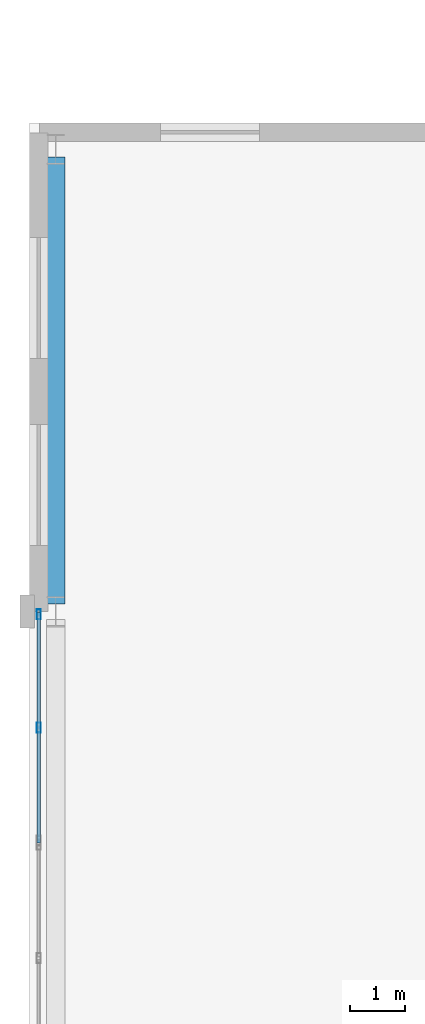
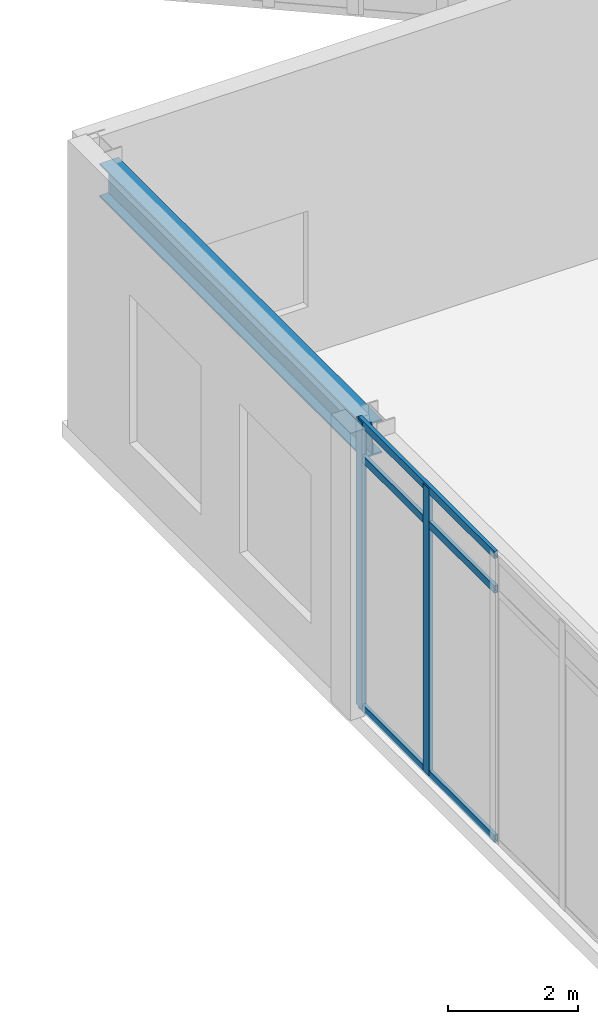
# One storey, part 24 of 98: 5 members, 1 beam, 1 element without a shape of its own.
"""IFC4 building model written with IfcOpenShell, lengths in metres."""

from ifc_helpers import new_model, si_unit, direction, frame, origin, origin_2d, place, context, subcontext, project, spatial, hollow_rectangle, i_section, extrude, material, layer, layer_set, material_profile, profile_set, type_object, element, aggregate, save


model = new_model("IFC4")

# Units and contexts
model_context = context("Model", 3, precision=1e-05, world=origin(), true_north=direction((0.0, 1.0)))
body_context = subcontext(model_context, "Body", "Model", "MODEL_VIEW")
ifc_project = project(units=[si_unit("LENGTHUNIT", "METRE"), si_unit("AREAUNIT", "SQUARE_METRE"), si_unit("VOLUMEUNIT", "CUBIC_METRE"), si_unit("PLANEANGLEUNIT", "RADIAN"), si_unit("MASSUNIT", "GRAM", prefix="KILO")], contexts=[model_context])

# Site, building, storey
site_placement = place(None, origin())
site = spatial("IfcSite", under=ifc_project, at=site_placement, CompositionType="ELEMENT")
building_placement = place(site_placement, origin())
building = spatial("IfcBuilding", under=site, at=building_placement, Name="Sollismere Congress Hotel", CompositionType="ELEMENT")
storey_placement = place(building_placement, frame((0.0, 0.0, 5.39990234375)))
storey = spatial("IfcBuildingStorey", under=building, at=storey_placement, Name="L01", CompositionType="ELEMENT", Elevation=5.39990234375)

# Beam
ifc_material_1 = material(Name="Steel ASTM A992 Grade 50", Category="steel")
ifc_material_profile_1 = material_profile(ifc_material_1, i_section(OverallWidth=0.330078125, OverallDepth=0.635009765625, WebThickness=0.017822265625, FlangeThickness=0.031005859375, at=origin_2d()), Name="W24X162")
ifc_profile_set_1 = profile_set([ifc_material_profile_1], Name="Steel ASTM A992 Grade 50")
beam_type = type_object("IfcBeamType", Name="BM-SP24E", PredefinedType="SPANDREL", material=ifc_profile_set_1)
beam_placement = place(storey_placement, frame((0.0, 58.5400390625, 4.802490234375), z_axis=(0.0, 1.0, 0.0), x_axis=(-1.0, 0.0, 0.0)))
element("IfcBeam", 1, at=beam_placement, inside=storey, type_object=beam_type, Name="Beam BM-L01-1627", PredefinedType="SPANDREL", context=body_context, shape_type="SweptSolid", body=[
    extrude(i_section(OverallWidth=0.330078125, OverallDepth=0.635009765625, WebThickness=0.017822265625, FlangeThickness=0.031005859375, at=origin_2d()), origin(), (0.0, 0.0, 1.0), 8.119873046875),
])

# Curtain wall, members
ifc_material_2 = material(Name="Anodized Bronze Curtain Wall & Low-E Triple Glazing", Category="glass")
ifc_layer = layer(ifc_material_2, 0.199951171875, Name="Anodized Bronze Curtain Wall & Low-E Triple Glazing")
ifc_layer_set = layer_set([ifc_layer], Name="Anodized Bronze Curtain Wall & Low-E Triple Glazing")
curtain_wall_type = type_object("IfcCurtainWallType", Name="CW-GLZ36", PredefinedType="USERDEFINED", material=ifc_layer_set)
curtain_wall_placement = place(storey_placement, origin())
curtain_wall = element("IfcCurtainWall", 2, at=curtain_wall_placement, inside=storey, type_object=curtain_wall_type, Name="Unitised curtain wall CW-L01-130", ObjectType="UNITISED CURTAIN WALL", PredefinedType="USERDEFINED")
ifc_material_3 = material(Name="Anodized Aluminum 6063-T6", Category="aluminium")
ifc_material_profile_2 = material_profile(ifc_material_3, hollow_rectangle(XDim=0.074951171875, YDim=0.179931640625, WallThickness=0.0048828125, at=origin_2d()), Name="ALU180X75X5")
ifc_profile_set_2 = profile_set([ifc_material_profile_2], Name="Anodized Aluminum 6063-T6")
member_type_1 = type_object("IfcMemberType", Name="ML-CW180", PredefinedType="MULLION", material=ifc_profile_set_2)
member_1_placement = place(storey_placement, frame((-0.31005859375, 56.294921875, 0.0), z_axis=(0.0, 0.0, 1.0), x_axis=(-1.0, 0.0, 0.0)))
member_1 = element("IfcMember", 3, at=member_1_placement, type_object=member_type_1, Name="CWL-CW-L01-130-ML02", PredefinedType="MULLION", context=body_context, shape_type="SweptSolid", body=[
    extrude(hollow_rectangle(XDim=0.074951171875, YDim=0.179931640625, WallThickness=0.0048828125, at=origin_2d()), origin(), (0.0, 0.0, 1.0), 5.400146484375),
])
member_2_placement = place(storey_placement, frame((-0.31005859375, 58.35205078125, 0.0), z_axis=(0.0, 0.0, 1.0), x_axis=(-1.0, 0.0, 0.0)))
member_2 = element("IfcMember", 4, at=member_2_placement, type_object=member_type_1, Name="CWL-CW-L01-130-ML03", PredefinedType="MULLION", context=body_context, shape_type="SweptSolid", body=[
    extrude(hollow_rectangle(XDim=0.074951171875, YDim=0.179931640625, WallThickness=0.0048828125, at=origin_2d()), origin(), (0.0, 0.0, 1.0), 5.400146484375),
])
ifc_material_profile_3 = material_profile(ifc_material_3, hollow_rectangle(XDim=0.06494140625, YDim=0.139892578125, WallThickness=0.00390625, at=origin_2d()), Name="ALU140X65X4")
ifc_profile_set_3 = profile_set([ifc_material_profile_3], Name="Anodized Aluminum 6063-T6")
member_type_2 = type_object("IfcMemberType", Name="TR-CW150", PredefinedType="MEMBER", material=ifc_profile_set_3)
member_3_placement = place(storey_placement, frame((-0.31005859375, 54.199951171875, 0.03271484375), z_axis=(0.0, 1.0, 0.0), x_axis=(-1.0, 0.0, 0.0)))
member_3 = element("IfcMember", 5, at=member_3_placement, type_object=member_type_2, Name="CWL-CW-L01-130-TR1", PredefinedType="MEMBER", context=body_context, shape_type="SweptSolid", body=[
    extrude(hollow_rectangle(XDim=0.06494140625, YDim=0.139892578125, WallThickness=0.00390625, at=origin_2d()), origin(), (0.0, 0.0, 1.0), 4.18994140625),
])
member_4_placement = place(storey_placement, frame((-0.31005859375, 54.199951171875, 4.72021484375), z_axis=(0.0, 1.0, 0.0), x_axis=(-1.0, 0.0, 0.0)))
member_4 = element("IfcMember", 6, at=member_4_placement, type_object=member_type_2, Name="CWL-CW-L01-130-TR2", PredefinedType="MEMBER", context=body_context, shape_type="SweptSolid", body=[
    extrude(hollow_rectangle(XDim=0.06494140625, YDim=0.139892578125, WallThickness=0.00390625, at=origin_2d()), origin(), (0.0, 0.0, 1.0), 4.18994140625),
])
member_5_placement = place(storey_placement, frame((-0.31005859375, 54.199951171875, 5.36767578125), z_axis=(0.0, 1.0, 0.0), x_axis=(-1.0, 0.0, 0.0)))
member_5 = element("IfcMember", 7, at=member_5_placement, type_object=member_type_2, Name="CWL-CW-L01-130-TR3", PredefinedType="MEMBER", context=body_context, shape_type="SweptSolid", body=[
    extrude(hollow_rectangle(XDim=0.06494140625, YDim=0.139892578125, WallThickness=0.00390625, at=origin_2d()), origin(), (0.0, 0.0, 1.0), 4.18994140625),
])
aggregate(curtain_wall, [member_1, member_2, member_3, member_4, member_5])

save(model, "model.ifc")
